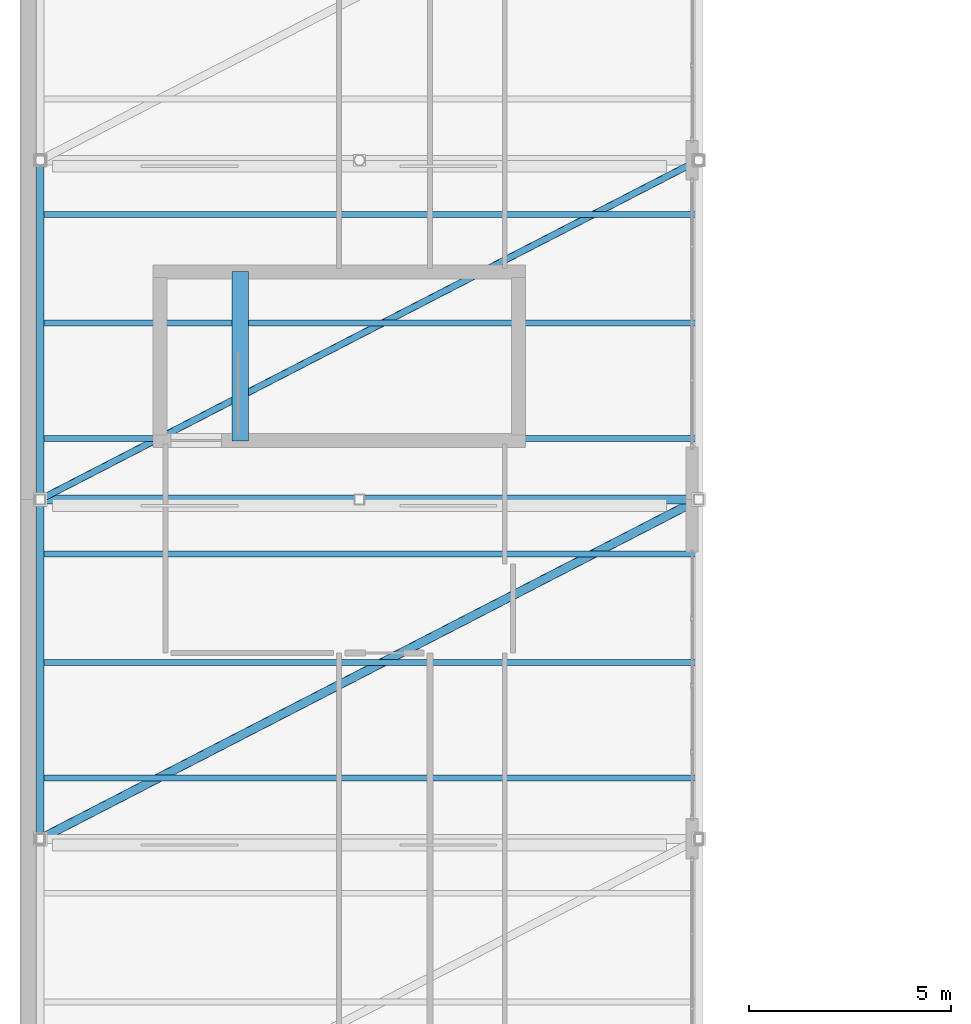
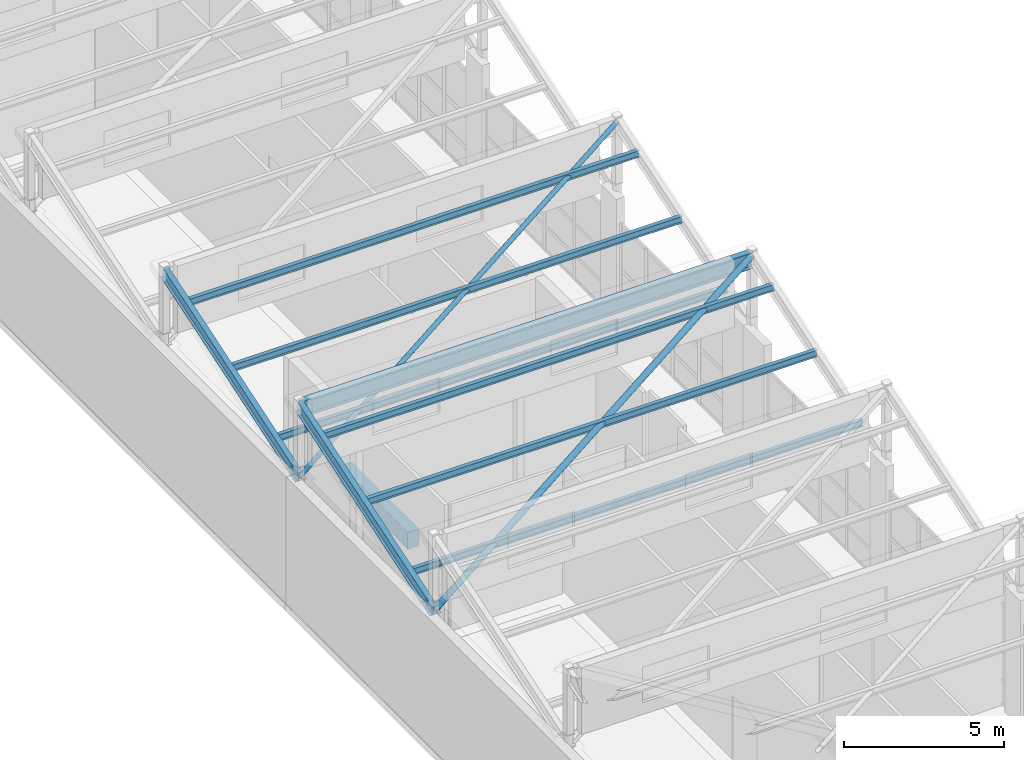
# One storey, part 11 of 34: 8 members, 4 beams.
"""IFC4 building model written with IfcOpenShell, lengths in metres."""

from ifc_helpers import new_model, si_unit, direction, frame, origin, origin_2d, place, context, subcontext, project, spatial, rectangle, hollow_circle, i_section, extrude, material, material_profile, profile_set, type_object, element, save


model = new_model("IFC4")

# Units and contexts
model_context = context("Model", 3, precision=1e-05, world=origin(), true_north=direction((0.0, 1.0)))
body_context = subcontext(model_context, "Body", "Model", "MODEL_VIEW")
ifc_project = project(units=[si_unit("LENGTHUNIT", "METRE"), si_unit("AREAUNIT", "SQUARE_METRE"), si_unit("VOLUMEUNIT", "CUBIC_METRE"), si_unit("PLANEANGLEUNIT", "RADIAN"), si_unit("MASSUNIT", "GRAM", prefix="KILO")], contexts=[model_context])

# Site, building, storey
site_placement = place(None, origin())
site = spatial("IfcSite", under=ifc_project, at=site_placement, CompositionType="ELEMENT")
building_placement = place(site_placement, origin())
building = spatial("IfcBuilding", under=site, at=building_placement, Name="Quendrovan Civic Courthouse", CompositionType="ELEMENT")
storey_placement = place(building_placement, frame((0.0, 0.0, 25.5)))
storey = spatial("IfcBuildingStorey", under=building, at=storey_placement, Name="L06", CompositionType="ELEMENT", Elevation=25.5)

# Beams
ifc_material_1 = material(Name="Concrete C40/50", Category="concrete")
ifc_material_profile_1 = material_profile(ifc_material_1, rectangle(XDim=0.39990234375, YDim=0.64990234375, at=origin_2d()), Name="RC-BM-400x650")
ifc_profile_set_1 = profile_set([ifc_material_profile_1], Name="Concrete C40/50")
beam_type_1 = type_object("IfcBeamType", Name="BM-RC650", PredefinedType="JOIST", material=ifc_profile_set_1)
beam_1_placement = place(storey_placement, frame((5.449951171875, 57.85009765625, -0.324951171875), z_axis=(0.0, 1.0, 0.0), x_axis=(-1.0, 0.0, 0.0)))
element("IfcBeam", 1, at=beam_1_placement, inside=storey, type_object=beam_type_1, Name="L06 Stair ST4 Landing Trimmer Beam", PredefinedType="JOIST", context=body_context, shape_type="SweptSolid", body=[
    extrude(rectangle(XDim=0.39990234375, YDim=0.64990234375, at=origin_2d()), origin(), (0.0, 0.0, 1.0), 4.199951171875),
])
ifc_material_2 = material(Name="Steel ASTM A992 Grade 50", Category="steel")
ifc_material_profile_2 = material_profile(ifc_material_2, i_section(OverallWidth=0.18994140625, OverallDepth=0.45703125, WebThickness=0.009033203125, FlangeThickness=0.014404296875, at=origin_2d()), Name="W460x74")
ifc_profile_set_2 = profile_set([ifc_material_profile_2], Name="Steel ASTM A992 Grade 50")
beam_type_2 = type_object("IfcBeamType", Name="BM-STL-W460", PredefinedType="BEAM", material=ifc_profile_set_2)
beam_2_placement = place(storey_placement, frame((0.5, 48.0, 4.651611328125), z_axis=(0.0, 0.951058036, 0.309012317167), x_axis=(-1.0, 0.0, 0.0)))
element("IfcBeam", 2, at=beam_2_placement, inside=storey, type_object=beam_type_2, Name="Sawtooth Raking Steel Rafter B4-W", PredefinedType="BEAM", context=body_context, shape_type="SweptSolid", body=[
    extrude(i_section(OverallWidth=0.18994140625, OverallDepth=0.45703125, WebThickness=0.009033203125, FlangeThickness=0.014404296875, at=origin_2d()), origin(), (0.0, 0.0, 1.0), 8.832275390625),
])
beam_3_placement = place(storey_placement, frame((0.5, 56.39990234375, 4.651611328125), z_axis=(0.0, 0.951060675412, 0.309004193636), x_axis=(-1.0, 0.0, 0.0)))
element("IfcBeam", 3, at=beam_3_placement, inside=storey, type_object=beam_type_2, Name="Sawtooth Raking Steel Rafter B5-W", PredefinedType="BEAM", context=body_context, shape_type="SweptSolid", body=[
    extrude(i_section(OverallWidth=0.18994140625, OverallDepth=0.45703125, WebThickness=0.009033203125, FlangeThickness=0.014404296875, at=origin_2d()), origin(), (0.0, 0.0, 1.0), 8.83251953125),
])
ifc_material_profile_3 = material_profile(ifc_material_2, i_section(OverallWidth=0.22900390625, OverallDepth=0.612060546875, WebThickness=0.011962890625, FlangeThickness=0.01953125, at=origin_2d()), Name="W610x125")
ifc_profile_set_3 = profile_set([ifc_material_profile_3], Name="Steel ASTM A992 Grade 50")
beam_type_3 = type_object("IfcBeamType", Name="BM-STL-W610", PredefinedType="BEAM", material=ifc_profile_set_3)
beam_4_placement = place(storey_placement, frame((0.5, 56.39990234375, 7.26318359375), z_axis=(1.0, 0.0, 0.0), x_axis=(0.0, 1.0, 0.0)))
element("IfcBeam", 4, at=beam_4_placement, inside=storey, type_object=beam_type_3, Name="Sawtooth Ridge Steel Collector Beam B4", PredefinedType="BEAM", context=body_context, shape_type="SweptSolid", body=[
    extrude(i_section(OverallWidth=0.22900390625, OverallDepth=0.612060546875, WebThickness=0.011962890625, FlangeThickness=0.01953125, at=origin_2d()), origin(), (0.0, 0.0, 1.0), 16.300048828125),
])

# Members
ifc_material_3 = material(Name="Steel ASTM A500 Grade C", Category="steel")
ifc_material_profile_4 = material_profile(ifc_material_3, hollow_circle(Radius=0.084228515625, WallThickness=0.008056640625, at=origin_2d()), Name="CHS168x8")
ifc_profile_set_4 = profile_set([ifc_material_profile_4], Name="Steel ASTM A500 Grade C")
member_type_1 = type_object("IfcMemberType", Name="MEM-BRC-CHS168", PredefinedType="BRACE", material=ifc_profile_set_4)
member_1_placement = place(storey_placement, frame((0.5, 56.39990234375, 4.651611328125), z_axis=(0.879219557782, 0.453101285473, 0.147214789732), x_axis=(-0.458092409609, 0.888904575451, 0.0)))
element("IfcMember", 5, at=member_1_placement, inside=storey, type_object=member_type_1, Name="Sawtooth Roof Diagonal Brace B5", PredefinedType="BRACE", context=body_context, shape_type="SweptSolid", body=[
    extrude(hollow_circle(Radius=0.084228515625, WallThickness=0.008056640625, at=origin_2d()), origin(), (0.0, 0.0, 1.0), 18.539306640625),
])
ifc_material_profile_5 = material_profile(ifc_material_3, hollow_circle(Radius=0.109619140625, WallThickness=0.010009765625, at=origin_2d()), Name="CHS219x10")
ifc_profile_set_5 = profile_set([ifc_material_profile_5], Name="Steel ASTM A500 Grade C")
member_type_2 = type_object("IfcMemberType", Name="MEM-BRC-CHS219", PredefinedType="BRACE", material=ifc_profile_set_5)
member_2_placement = place(storey_placement, frame((0.5, 48.0, 4.651611328125), z_axis=(0.879224803908, 0.453090820089, 0.147215668133), x_axis=(-0.458081889493, 0.888909996861, 0.0)))
element("IfcMember", 6, at=member_2_placement, inside=storey, type_object=member_type_2, Name="Sawtooth Roof Diagonal Brace B4", PredefinedType="BRACE", context=body_context, shape_type="SweptSolid", body=[
    extrude(hollow_circle(Radius=0.109619140625, WallThickness=0.010009765625, at=origin_2d()), origin(), (0.0, 0.0, 1.0), 18.5390625),
])
ifc_material_profile_6 = material_profile(ifc_material_2, i_section(OverallWidth=0.14599609375, OverallDepth=0.258056640625, WebThickness=0.006103515625, FlangeThickness=0.009033203125, at=origin_2d()), Name="W250x33")
ifc_profile_set_6 = profile_set([ifc_material_profile_6], Name="Steel ASTM A992 Grade 50")
member_type_3 = type_object("IfcMemberType", Name="MEM-PUR-W250", PredefinedType="PURLIN", material=ifc_profile_set_6)
for number, where, z_axis, x_axis, name in (
    (7, (0.5, 49.511962890625, 5.21240234375), (1.0, 0.0, 0.0), (0.0, 1.0, 0.0), "Sawtooth Roof Steel Purlin B4-1"),
    (8, (0.5, 52.367919921875, 6.14013671875), (1.0, 0.0, 0.0), (0.0, 1.0, 0.0), "Sawtooth Roof Steel Purlin B4-2"),
    (9, (0.5, 55.055908203125, 7.013671875), (1.0, 0.0, 0.0), (0.0, 1.0, 0.0), "Sawtooth Roof Steel Purlin B4-3"),
    (10, (0.5, 57.912109375, 5.21240234375), (1.0, 0.0, 0.0), (0.0, 1.0, 0.0), "Sawtooth Roof Steel Purlin B5-1"),
    (11, (0.5, 60.76806640625, 6.14013671875), (1.0, 0.0, 0.0), (0.0, 1.0, 0.0), "Sawtooth Roof Steel Purlin B5-2"),
    (12, (0.5, 63.4560546875, 7.013671875), (1.0, 0.0, 0.0), (0.0, 1.0, 0.0), "Sawtooth Roof Steel Purlin B5-3"),
):
    element("IfcMember", number, at=place(storey_placement, frame(where, z_axis=z_axis, x_axis=x_axis)), inside=storey, type_object=member_type_3, Name=name, PredefinedType="PURLIN", context=body_context, shape_type="SweptSolid", body=[
        extrude(i_section(OverallWidth=0.14599609375, OverallDepth=0.258056640625, WebThickness=0.006103515625, FlangeThickness=0.009033203125, at=origin_2d()), origin(), (0.0, 0.0, 1.0), 16.300048828125),
    ])

save(model, "model.ifc")
